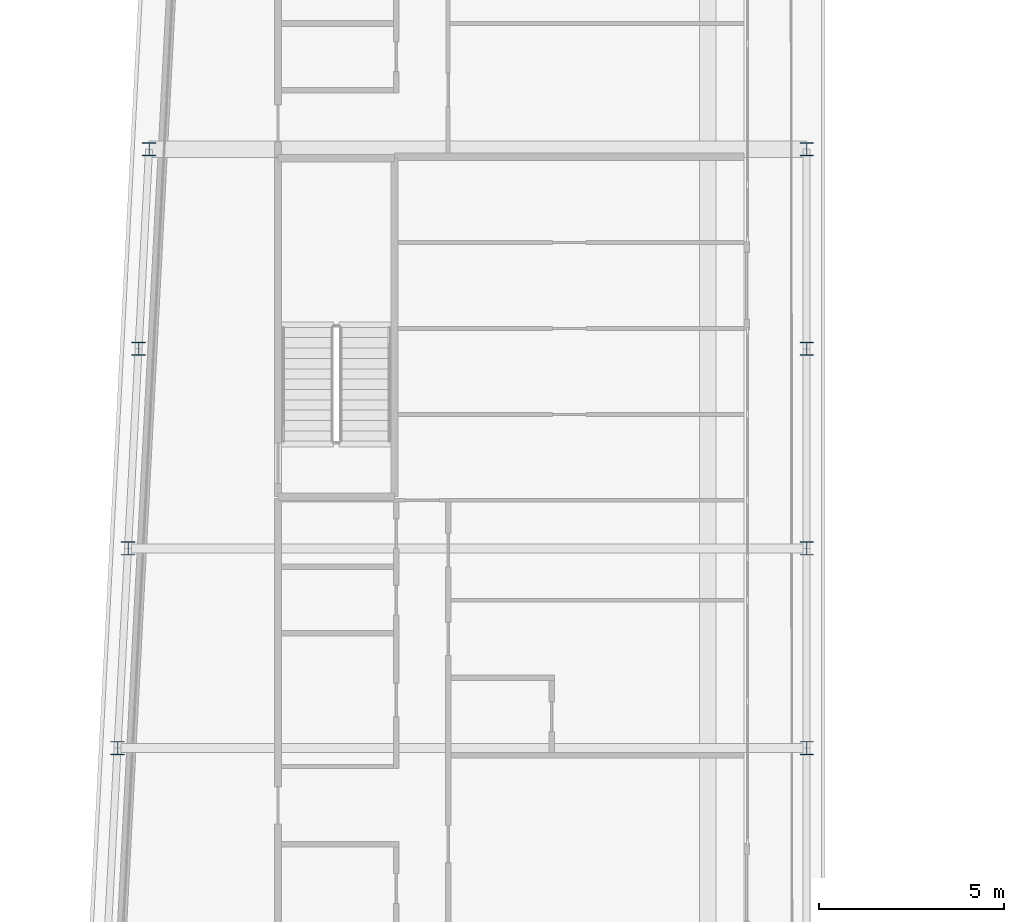
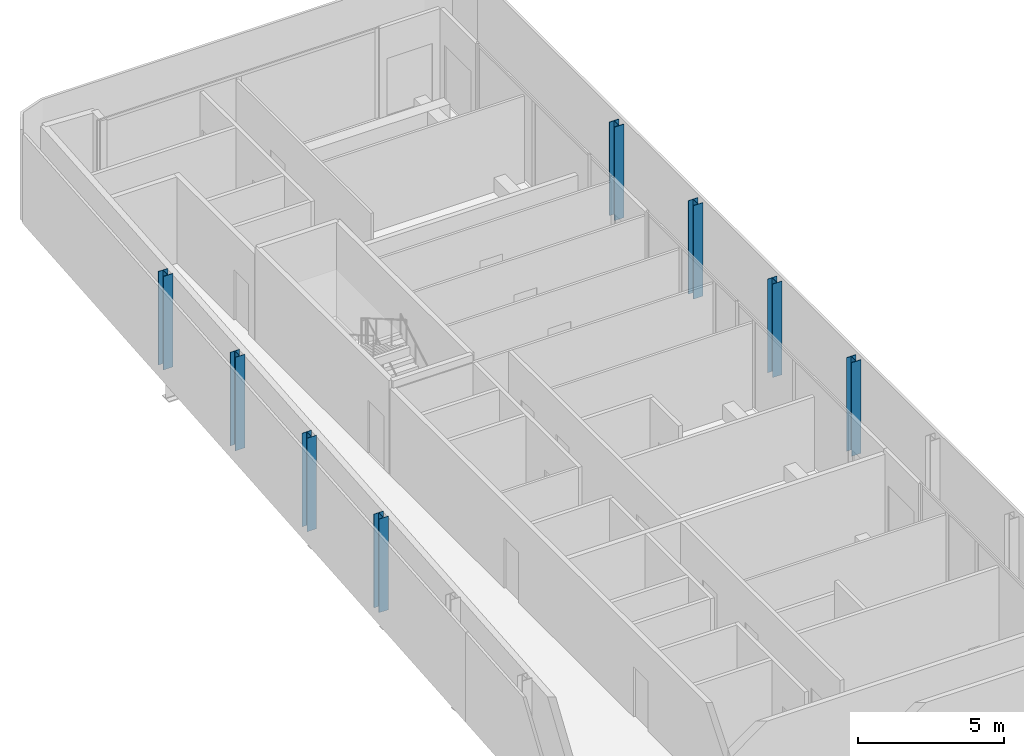
# One storey, part 3 of 18: 8 columns.
"""IFC4 building model written with IfcOpenShell, lengths in metres."""

from ifc_helpers import new_model, si_unit, direction, frame, origin, origin_2d, place, context, subcontext, project, spatial, i_section, extrude, material, material_profile, profile_set, type_object, element, save


model = new_model("IFC4")

# Units and contexts
model_context = context("Model", 3, precision=1e-05, world=origin(), true_north=direction((0.0, 1.0)))
body_context = subcontext(model_context, "Body", "Model", "MODEL_VIEW")
ifc_project = project(units=[si_unit("LENGTHUNIT", "METRE"), si_unit("AREAUNIT", "SQUARE_METRE"), si_unit("VOLUMEUNIT", "CUBIC_METRE"), si_unit("PLANEANGLEUNIT", "RADIAN"), si_unit("MASSUNIT", "GRAM", prefix="KILO")], contexts=[model_context])

# Site, building, storey
site_placement = place(None, origin())
site = spatial("IfcSite", under=ifc_project, at=site_placement, CompositionType="ELEMENT")
building_placement = place(site_placement, origin())
building = spatial("IfcBuilding", under=site, at=building_placement, Name="Kheshtan School and Residences Tower", CompositionType="ELEMENT")
storey_placement = place(building_placement, frame((0.0, 0.0, 373.39990234375)))
storey = spatial("IfcBuildingStorey", under=building, at=storey_placement, Name="L88", CompositionType="ELEMENT", Elevation=373.39990234375)

# Columns
ifc_material = material(Name="Steel ASTM A992 Grade 50", Category="steel")
ifc_material_profile = material_profile(ifc_material, i_section(OverallWidth=0.37109375, OverallDepth=0.364013671875, WebThickness=0.01318359375, FlangeThickness=0.021728515625, FilletRadius=0.010986328125, at=origin_2d()), Name="W360x162")
ifc_profile_set = profile_set([ifc_material_profile], Name="Steel ASTM A992 Grade 50")
column_type = type_object("IfcColumnType", Name="Column C6 W360x162 ASTM A992 Grade 50", PredefinedType="COLUMN", material=ifc_profile_set)
for number, where, z_axis, x_axis, name in (
    (1, (28.9580078125, 72.60009765625, 0.0), (0.0, 0.0, 1.0), (1.0, 0.0, 0.0), "Column C086"),
    (2, (47.60009765625, 72.60009765625, 0.0), (0.0, 0.0, 1.0), (1.0, 0.0, 0.0), "Column C087"),
    (3, (29.242919921875, 78.0, 0.0), (0.0, 0.0, 1.0), (1.0, 0.0, 0.0), "Column C088"),
    (4, (47.60009765625, 78.0, 0.0), (0.0, 0.0, 1.0), (1.0, 0.0, 0.0), "Column C089"),
    (5, (29.527099609375, 83.39990234375, 0.0), (0.0, 0.0, 1.0), (1.0, 0.0, 0.0), "Column C090"),
    (6, (47.60009765625, 83.39990234375, 0.0), (0.0, 0.0, 1.0), (1.0, 0.0, 0.0), "Column C091"),
    (7, (29.81103515625, 88.800048828125, 0.0), (0.0, 0.0, 1.0), (1.0, 0.0, 0.0), "Column C098"),
    (8, (47.60009765625, 88.800048828125, 0.0), (0.0, 0.0, 1.0), (1.0, 0.0, 0.0), "Column C099"),
):
    element("IfcColumn", number, at=place(storey_placement, frame(where, z_axis=z_axis, x_axis=x_axis)), inside=storey, type_object=column_type, Name=name, PredefinedType="COLUMN", context=body_context, shape_type="SweptSolid", body=[
        extrude(i_section(OverallWidth=0.37109375, OverallDepth=0.364013671875, WebThickness=0.01318359375, FlangeThickness=0.021728515625, FilletRadius=0.010986328125, at=origin_2d()), origin(), (0.0, 0.0, 1.0), 3.900146484375),
    ])

save(model, "model.ifc")
